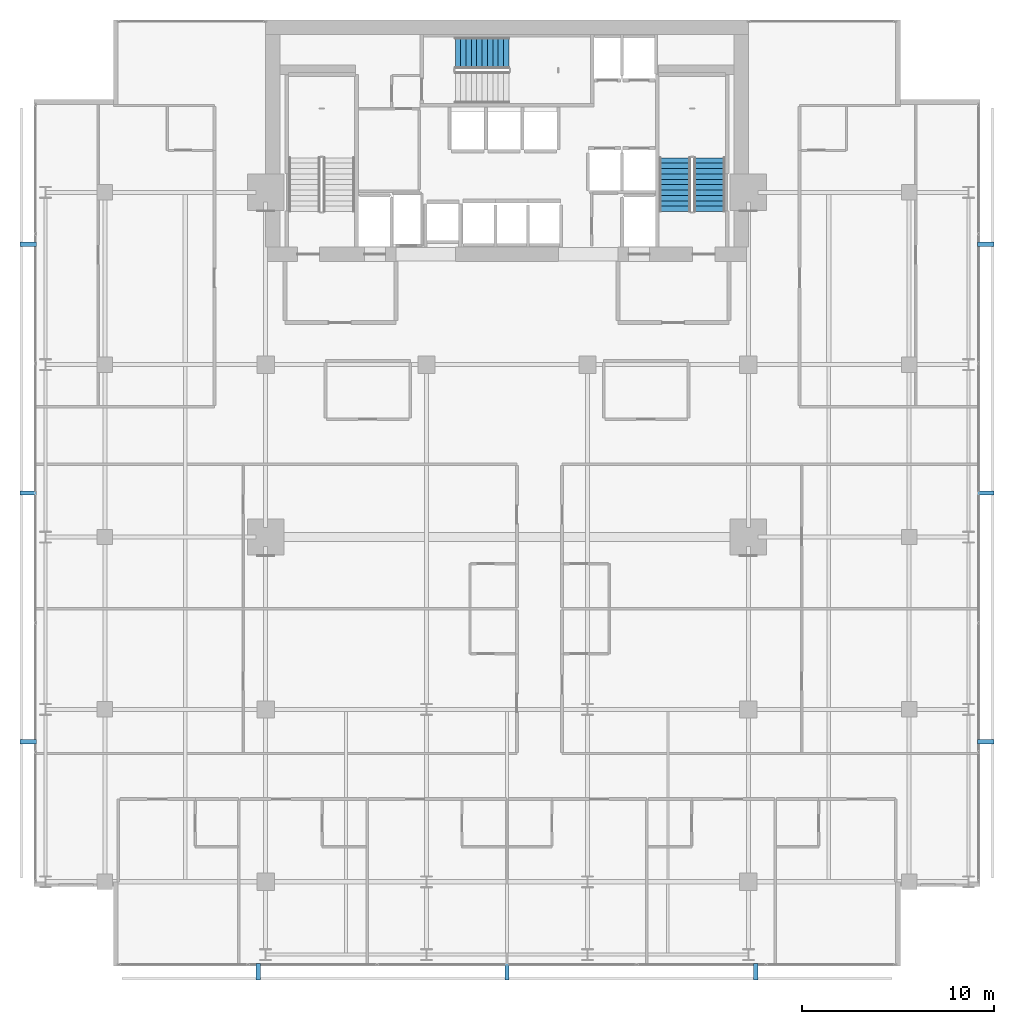
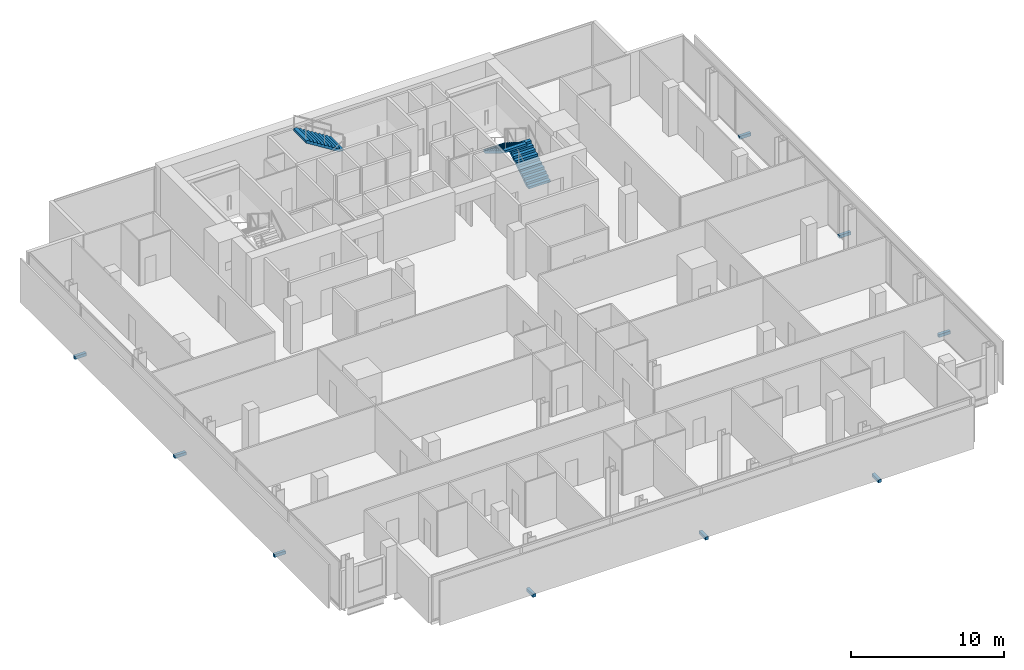
# One storey, part 31 of 33: 9 discrete accessories, 3 stair flights, 2 elements without a shape of their own.
"""IFC4 building model written with IfcOpenShell, lengths in metres."""

from ifc_helpers import new_model, si_unit, direction, frame, origin, origin_2d, place, context, subcontext, project, spatial, polyline, rectangle, outline, extrude, material, type_object, element, aggregate, save


model = new_model("IFC4")

# Units and contexts
model_context = context("Model", 3, precision=1e-05, world=origin(), true_north=direction((0.0, 1.0)))
body_context = subcontext(model_context, "Body", "Model", "MODEL_VIEW")
ifc_project = project(units=[si_unit("LENGTHUNIT", "METRE"), si_unit("AREAUNIT", "SQUARE_METRE"), si_unit("VOLUMEUNIT", "CUBIC_METRE"), si_unit("PLANEANGLEUNIT", "RADIAN"), si_unit("MASSUNIT", "GRAM", prefix="KILO")], contexts=[model_context])

# Site, building, storey
site_placement = place(None, origin())
site = spatial("IfcSite", under=ifc_project, at=site_placement, CompositionType="ELEMENT")
building_placement = place(site_placement, origin())
building = spatial("IfcBuilding", under=site, at=building_placement, Name="Maruvema Waterfront Hotel and Observation Tower", CompositionType="ELEMENT")
storey_placement = place(building_placement, frame((0.0, 0.0, 200.550048828125)))
storey = spatial("IfcBuildingStorey", under=building, at=storey_placement, Name="L49", CompositionType="ELEMENT", Elevation=200.550048828125)

# Stair, stair flight
ifc_material_1 = material(Name="Concrete C50/60", Category="concrete")
stair_type = type_object("IfcStairType", Name="Dogleg Exit Stair 1650 mm (22R x 175.0 mm)", PredefinedType="HALF_TURN_STAIR", material=ifc_material_1)
stair_1_placement = place(storey_placement, origin())
stair_1 = element("IfcStair", 1, at=stair_1_placement, inside=storey, type_object=stair_type, Name="L49 ST-02", PredefinedType="HALF_TURN_STAIR")
ifc_material_2 = material(Name="Concrete C50/60", Category="concrete")
stair_flight_type = type_object("IfcStairFlightType", Name="Reinforced Concrete Stair Flight 1650 mm (11R x 175.0 mm)", PredefinedType="STRAIGHT", material=ifc_material_2)
stair_flight_1_placement = place(storey_placement, frame((37.89990234375, 52.27490234375, 1.925048828125), z_axis=(0.0, 0.0, 1.0), x_axis=(-1.0, 0.0, 0.0)))
stair_flight_1 = element("IfcStairFlight", 2, at=stair_flight_1_placement, type_object=stair_flight_type, Name="ST-02 flight 2", NumberOfRisers=11, NumberOfTreads=10, PredefinedType="STRAIGHT", RiserHeight=0.175, TreadLength=0.28, context=body_context, shape_type="SweptSolid", body=[
    extrude(outline(polyline([(0.0, 0.0), (0.0, 0.175048828125), (0.280029296875, 0.175048828125), (0.280029296875, 0.35009765625), (0.56005859375, 0.35009765625), (0.56005859375, 0.52490234375), (0.840087890625, 0.52490234375), (0.840087890625, 0.699951171875), (1.1201171875, 0.699951171875), (1.1201171875, 0.875), (1.39990234375, 0.875), (1.39990234375, 1.050048828125), (1.679931640625, 1.050048828125), (1.679931640625, 1.22509765625), (1.9599609375, 1.22509765625), (1.9599609375, 1.39990234375), (2.239990234375, 1.39990234375), (2.239990234375, 1.574951171875), (2.52001953125, 1.574951171875), (2.52001953125, 1.75), (2.800048828125, 1.75), (2.800048828125, 1.925048828125), (2.800048828125, 1.5732421875), (0.28271484375, 0.0), (0.0, 0.0)])), frame((0.0, 0.824951171875, 0.0), z_axis=(0.0, -1.0, 0.0), x_axis=(1.0, 0.0, 0.0)), (0.0, 0.0, 1.0), 1.64990234375),
])
aggregate(stair_1, [stair_flight_1])

# Stair, stair flights
stair_2_placement = place(storey_placement, origin())
stair_2 = element("IfcStair", 3, at=stair_2_placement, inside=storey, type_object=stair_type, Name="L49 ST-03", PredefinedType="HALF_TURN_STAIR")
stair_flight_2_placement = place(storey_placement, frame((48.375, 44.0, 0.0), z_axis=(0.0, 0.0, 1.0), x_axis=(0.0, 1.0, 0.0)))
stair_flight_2 = element("IfcStairFlight", 4, at=stair_flight_2_placement, type_object=stair_flight_type, Name="ST-03 flight 1", NumberOfRisers=11, NumberOfTreads=10, PredefinedType="STRAIGHT", RiserHeight=0.175, TreadLength=0.28, context=body_context, shape_type="SweptSolid", body=[
    extrude(outline(polyline([(0.0, 0.0), (0.0, 0.175048828125), (0.280029296875, 0.175048828125), (0.280029296875, 0.35009765625), (0.56005859375, 0.35009765625), (0.56005859375, 0.52490234375), (0.840087890625, 0.52490234375), (0.840087890625, 0.699951171875), (1.1201171875, 0.699951171875), (1.1201171875, 0.875), (1.39990234375, 0.875), (1.39990234375, 1.050048828125), (1.679931640625, 1.050048828125), (1.679931640625, 1.22509765625), (1.9599609375, 1.22509765625), (1.9599609375, 1.39990234375), (2.239990234375, 1.39990234375), (2.239990234375, 1.574951171875), (2.52001953125, 1.574951171875), (2.52001953125, 1.75), (2.800048828125, 1.75), (2.800048828125, 1.925048828125), (2.800048828125, 1.5732421875), (0.28271484375, 0.0), (0.0, 0.0)])), frame((0.0, 0.824951171875, 0.0), z_axis=(0.0, -1.0, 0.0), x_axis=(1.0, 0.0, 0.0)), (0.0, 0.0, 1.0), 1.64990234375),
])
stair_flight_3_placement = place(storey_placement, frame((46.574951171875, 46.800048828125, 1.925048828125), z_axis=(0.0, 0.0, 1.0), x_axis=(0.0, -1.0, 0.0)))
stair_flight_3 = element("IfcStairFlight", 5, at=stair_flight_3_placement, type_object=stair_flight_type, Name="ST-03 flight 2", NumberOfRisers=11, NumberOfTreads=10, PredefinedType="STRAIGHT", RiserHeight=0.175, TreadLength=0.28, context=body_context, shape_type="SweptSolid", body=[
    extrude(outline(polyline([(0.0, 0.0), (0.0, 0.175048828125), (0.280029296875, 0.175048828125), (0.280029296875, 0.35009765625), (0.56005859375, 0.35009765625), (0.56005859375, 0.52490234375), (0.840087890625, 0.52490234375), (0.840087890625, 0.699951171875), (1.1201171875, 0.699951171875), (1.1201171875, 0.875), (1.39990234375, 0.875), (1.39990234375, 1.050048828125), (1.679931640625, 1.050048828125), (1.679931640625, 1.22509765625), (1.9599609375, 1.22509765625), (1.9599609375, 1.39990234375), (2.239990234375, 1.39990234375), (2.239990234375, 1.574951171875), (2.52001953125, 1.574951171875), (2.52001953125, 1.75), (2.800048828125, 1.75), (2.800048828125, 1.925048828125), (2.800048828125, 1.5732421875), (0.28271484375, 0.0), (0.0, 0.0)])), frame((0.0, 0.824951171875, 0.0), z_axis=(0.0, -1.0, 0.0), x_axis=(1.0, 0.0, 0.0)), (0.0, 0.0, 1.0), 1.64990234375),
])
aggregate(stair_2, [stair_flight_2, stair_flight_3])

# Discrete accessories
ifc_material_3 = material(Name="Duplex stainless steel Grade 2205", Category="steel")
discrete_accessory_type = type_object("IfcDiscreteAccessoryType", Name="Double-Skin Cavity Stainless Outrigger Bracket", PredefinedType="BRACKET", material=ifc_material_3)
for number, where, z_axis, x_axis, name in (
    (6, (24.80810546875, 4.300048828125, -0.14013671875), (0.0, 0.0, 1.0), (1.0, 0.0, 0.0), "L49 Outer Skin Support Bracket 1"),
    (7, (37.800048828125, 4.300048828125, -0.14013671875), (0.0, 0.0, 1.0), (1.0, 0.0, 0.0), "L49 Outer Skin Support Bracket 2"),
    (8, (50.7919921875, 4.300048828125, -0.14013671875), (0.0, 0.0, 1.0), (1.0, 0.0, 0.0), "L49 Outer Skin Support Bracket 3"),
    (9, (62.800048828125, 16.30810546875, -0.14013671875), (0.0, 0.0, 1.0), (0.0, 1.0, 0.0), "L49 Outer Skin Support Bracket 1"),
    (10, (62.800048828125, 29.300048828125, -0.14013671875), (0.0, 0.0, 1.0), (0.0, 1.0, 0.0), "L49 Outer Skin Support Bracket 2"),
    (11, (62.800048828125, 42.2919921875, -0.14013671875), (0.0, 0.0, 1.0), (0.0, 1.0, 0.0), "L49 Outer Skin Support Bracket 3"),
    (12, (12.800048828125, 42.2919921875, -0.14013671875), (0.0, 0.0, 1.0), (0.0, -1.0, 0.0), "L49 Outer Skin Support Bracket 1"),
    (13, (12.800048828125, 29.300048828125, -0.14013671875), (0.0, 0.0, 1.0), (0.0, -1.0, 0.0), "L49 Outer Skin Support Bracket 2"),
    (14, (12.800048828125, 16.30810546875, -0.14013671875), (0.0, 0.0, 1.0), (0.0, -1.0, 0.0), "L49 Outer Skin Support Bracket 3"),
):
    element("IfcDiscreteAccessory", number, at=place(storey_placement, frame(where, z_axis=z_axis, x_axis=x_axis)), inside=storey, type_object=discrete_accessory_type, Name=name, PredefinedType="BRACKET", context=body_context, shape_type="SweptSolid", body=[
        extrude(rectangle(XDim=0.219970703125, YDim=0.860107421875, at=origin_2d()), origin(), (0.0, 0.0, 1.0), 0.239990234375),
    ])

save(model, "model.ifc")
